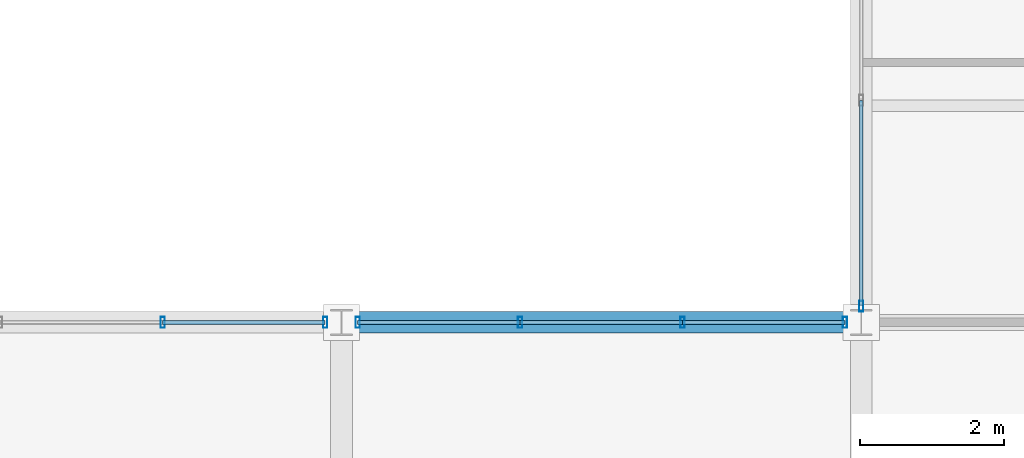
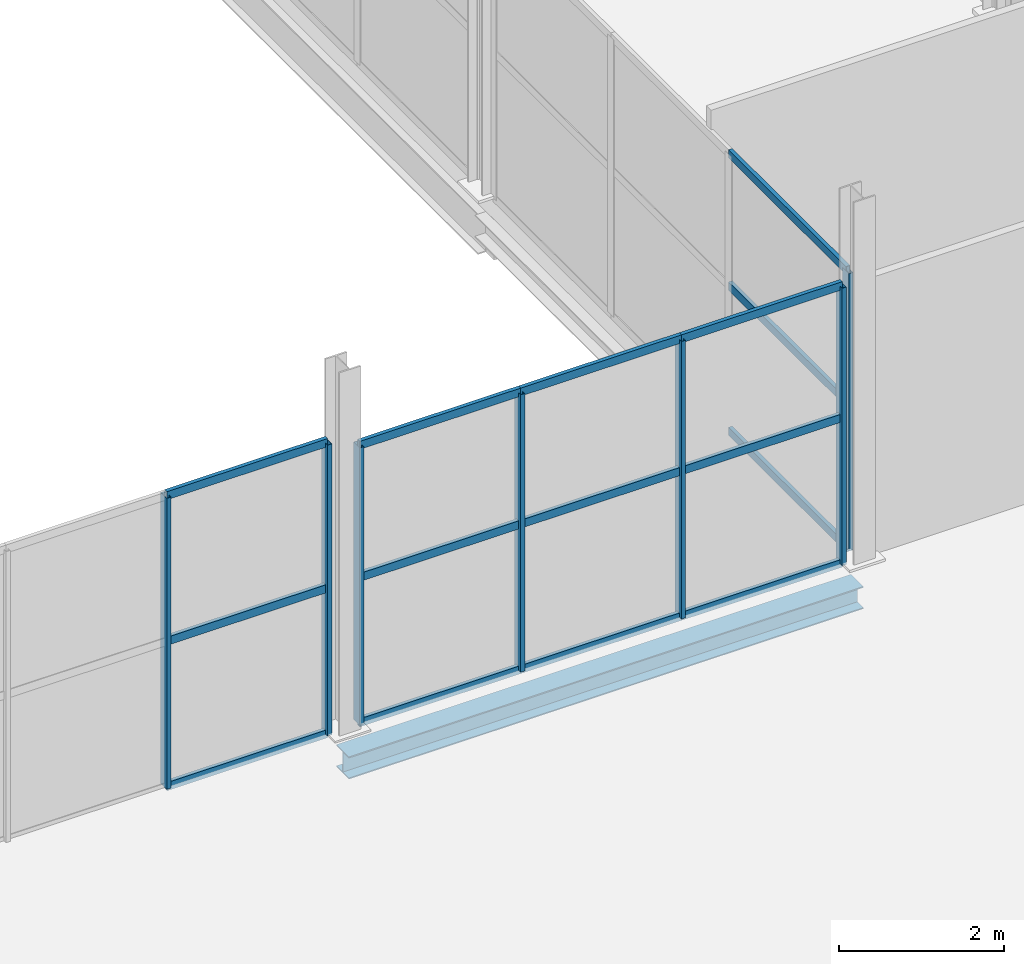
# One storey, part 74 of 141: 22 members, 1 beam, 3 elements without a shape of their own.
"""IFC4 building model written with IfcOpenShell, lengths in metres."""

from ifc_helpers import new_model, si_unit, direction, frame, origin, origin_2d, place, context, subcontext, project, spatial, hollow_rectangle, i_section, extrude, material, layer, layer_set, material_profile, profile_set, type_object, element, aggregate, save


model = new_model("IFC4")

# Units and contexts
model_context = context("Model", 3, precision=1e-05, world=origin(), true_north=direction((0.0, 1.0)))
body_context = subcontext(model_context, "Body", "Model", "MODEL_VIEW")
ifc_project = project(units=[si_unit("LENGTHUNIT", "METRE"), si_unit("AREAUNIT", "SQUARE_METRE"), si_unit("VOLUMEUNIT", "CUBIC_METRE"), si_unit("PLANEANGLEUNIT", "RADIAN"), si_unit("MASSUNIT", "GRAM", prefix="KILO")], contexts=[model_context])

# Site, building, storey
site_placement = place(None, origin())
site = spatial("IfcSite", under=ifc_project, at=site_placement, CompositionType="ELEMENT")
building_placement = place(site_placement, origin())
building = spatial("IfcBuilding", under=site, at=building_placement, Name="Sundgate Opera House", CompositionType="ELEMENT")
storey_placement = place(building_placement, frame((0.0, 0.0, 11.39990234375)))
storey = spatial("IfcBuildingStorey", under=building, at=storey_placement, Name="L02", CompositionType="ELEMENT", Elevation=11.39990234375)

# Beam
ifc_material_1 = material(Name="Steel S355J2", Category="steel")
ifc_material_profile_1 = material_profile(ifc_material_1, i_section(OverallWidth=0.300048828125, OverallDepth=0.330078125, WebThickness=0.009521484375, FlangeThickness=0.0166015625, at=origin_2d()), Name="HEA 340")
ifc_profile_set_1 = profile_set([ifc_material_profile_1], Name="Steel S355J2")
beam_type = type_object("IfcBeamType", Name="BM-GR-HEA340", PredefinedType="BEAM", material=ifc_profile_set_1)
beam_placement = place(storey_placement, frame((131.39990234375, 42.0, -0.514892578125), z_axis=(1.0, 0.0, 0.0), x_axis=(0.0, 1.0, 0.0)))
element("IfcBeam", 1, at=beam_placement, inside=storey, type_object=beam_type, Name="L02 Primary E-W Girder B2014", PredefinedType="BEAM", context=body_context, shape_type="SweptSolid", body=[
    extrude(i_section(OverallWidth=0.300048828125, OverallDepth=0.330078125, WebThickness=0.009521484375, FlangeThickness=0.0166015625, at=origin_2d()), origin(), (0.0, 0.0, 1.0), 7.2001953125),
])

# Curtain wall, members
ifc_material_2 = material(Name="Anodized aluminium and low-iron glass", Category="aluminium")
ifc_layer = layer(ifc_material_2, 0.159912109375)
ifc_layer_set = layer_set([ifc_layer], Name="Anodized aluminium and low-iron glass")
curtain_wall_type = type_object("IfcCurtainWallType", Name="CW-STUDIO-DARK", PredefinedType="NOTDEFINED", material=ifc_layer_set)
curtain_wall_1_placement = place(storey_placement, origin())
curtain_wall_1 = element("IfcCurtainWall", 2, at=curtain_wall_1_placement, inside=storey, type_object=curtain_wall_type, Name="L02 Curtain Wall CW072", PredefinedType="NOTDEFINED")
ifc_material_3 = material(Name="Anodized aluminium EN AW-6063", Category="aluminium")
ifc_material_profile_2 = material_profile(ifc_material_3, hollow_rectangle(XDim=0.06005859375, YDim=0.14990234375, WallThickness=0.00390625, at=origin_2d()), Name="CWM 150x60x4")
ifc_profile_set_2 = profile_set([ifc_material_profile_2], Name="Anodized aluminium EN AW-6063")
member_type_1 = type_object("IfcMemberType", Name="CWM-ALU-150x60", PredefinedType="MULLION", material=ifc_profile_set_2)
member_1_placement = place(storey_placement, frame((128.925048828125, 42.0, 0.0), z_axis=(0.0, 0.0, 1.0), x_axis=(1.0, 0.0, 0.0)))
member_1 = element("IfcMember", 3, at=member_1_placement, type_object=member_type_1, Name="CW072 Mullion 3", PredefinedType="MULLION", context=body_context, shape_type="SweptSolid", body=[
    extrude(hollow_rectangle(XDim=0.06005859375, YDim=0.14990234375, WallThickness=0.00390625, at=origin_2d()), origin(), (0.0, 0.0, 1.0), 4.30517578125),
])
member_2_placement = place(storey_placement, frame((131.175048828125, 42.0, 0.0), z_axis=(0.0, 0.0, 1.0), x_axis=(1.0, 0.0, 0.0)))
member_2 = element("IfcMember", 4, at=member_2_placement, type_object=member_type_1, Name="CW072 Mullion 4", PredefinedType="MULLION", context=body_context, shape_type="SweptSolid", body=[
    extrude(hollow_rectangle(XDim=0.06005859375, YDim=0.14990234375, WallThickness=0.00390625, at=origin_2d()), origin(), (0.0, 0.0, 1.0), 4.30517578125),
])

curtain_wall_2_placement = place(storey_placement, origin())
curtain_wall_2 = element("IfcCurtainWall", 5, at=curtain_wall_2_placement, inside=storey, type_object=curtain_wall_type, Name="L02 Curtain Wall CW074", PredefinedType="NOTDEFINED")
member_3_placement = place(storey_placement, frame((131.625, 42.0, 0.0), z_axis=(0.0, 0.0, 1.0), x_axis=(1.0, 0.0, 0.0)))
member_3 = element("IfcMember", 6, at=member_3_placement, type_object=member_type_1, Name="CW074 Mullion 1", PredefinedType="MULLION", context=body_context, shape_type="SweptSolid", body=[
    extrude(hollow_rectangle(XDim=0.06005859375, YDim=0.14990234375, WallThickness=0.00390625, at=origin_2d()), origin(), (0.0, 0.0, 1.0), 4.10498046875),
])
member_4_placement = place(storey_placement, frame((133.875, 42.0, 0.0), z_axis=(0.0, 0.0, 1.0), x_axis=(1.0, 0.0, 0.0)))
member_4 = element("IfcMember", 7, at=member_4_placement, type_object=member_type_1, Name="CW074 Mullion 2", PredefinedType="MULLION", context=body_context, shape_type="SweptSolid", body=[
    extrude(hollow_rectangle(XDim=0.06005859375, YDim=0.14990234375, WallThickness=0.00390625, at=origin_2d()), origin(), (0.0, 0.0, 1.0), 4.10498046875),
])
member_5_placement = place(storey_placement, frame((136.125, 42.0, 0.0), z_axis=(0.0, 0.0, 1.0), x_axis=(1.0, 0.0, 0.0)))
member_5 = element("IfcMember", 8, at=member_5_placement, type_object=member_type_1, Name="CW074 Mullion 3", PredefinedType="MULLION", context=body_context, shape_type="SweptSolid", body=[
    extrude(hollow_rectangle(XDim=0.06005859375, YDim=0.14990234375, WallThickness=0.00390625, at=origin_2d()), origin(), (0.0, 0.0, 1.0), 4.10498046875),
])
member_6_placement = place(storey_placement, frame((138.375, 42.0, 0.0), z_axis=(0.0, 0.0, 1.0), x_axis=(1.0, 0.0, 0.0)))
member_6 = element("IfcMember", 9, at=member_6_placement, type_object=member_type_1, Name="CW074 Mullion 4", PredefinedType="MULLION", context=body_context, shape_type="SweptSolid", body=[
    extrude(hollow_rectangle(XDim=0.06005859375, YDim=0.14990234375, WallThickness=0.00390625, at=origin_2d()), origin(), (0.0, 0.0, 1.0), 4.10498046875),
])

# Curtain wall, member
curtain_wall_3_placement = place(storey_placement, origin())
curtain_wall_3 = element("IfcCurtainWall", 10, at=curtain_wall_3_placement, inside=storey, type_object=curtain_wall_type, Name="L02 Curtain Wall CW077", PredefinedType="NOTDEFINED")
member_7_placement = place(storey_placement, frame((138.60009765625, 42.22509765625, 0.0), z_axis=(0.0, 0.0, 1.0), x_axis=(1.0, 0.0, 0.0)))
member_7 = element("IfcMember", 11, at=member_7_placement, type_object=member_type_1, Name="CW077 Mullion 4", PredefinedType="MULLION", context=body_context, shape_type="SweptSolid", body=[
    extrude(hollow_rectangle(XDim=0.06005859375, YDim=0.14990234375, WallThickness=0.00390625, at=origin_2d()), origin(), (0.0, 0.0, 1.0), 4.10498046875),
])

# Member
ifc_material_4 = material(Name="Anodized aluminium EN AW-6063", Category="aluminium")
ifc_material_profile_3 = material_profile(ifc_material_4, hollow_rectangle(XDim=0.054931640625, YDim=0.1201171875, WallThickness=0.00390625, at=origin_2d()), Name="CWT 120x55x4")
ifc_profile_set_3 = profile_set([ifc_material_profile_3], Name="Anodized aluminium EN AW-6063")
member_type_2 = type_object("IfcMemberType", Name="CWT-ALU-120x55", PredefinedType="USERDEFINED", material=ifc_profile_set_3)
member_8_placement = place(storey_placement, frame((128.925048828125, 42.0, 0.0), z_axis=(1.0, 0.0, 0.0), x_axis=(0.0, 1.0, 0.0)))
member_8 = element("IfcMember", 12, at=member_8_placement, type_object=member_type_2, Name="CW072 Transom 7", ObjectType="TRANSOM", PredefinedType="USERDEFINED", context=body_context, shape_type="SweptSolid", body=[
    extrude(hollow_rectangle(XDim=0.054931640625, YDim=0.1201171875, WallThickness=0.00390625, at=origin_2d()), origin(), (0.0, 0.0, 1.0), 2.25),
])

member_9_placement = place(storey_placement, frame((128.925048828125, 42.0, 2.150146484375), z_axis=(1.0, 0.0, 0.0), x_axis=(0.0, 1.0, 0.0)))
member_9 = element("IfcMember", 13, at=member_9_placement, type_object=member_type_2, Name="CW072 Transom 8", ObjectType="TRANSOM", PredefinedType="USERDEFINED", context=body_context, shape_type="SweptSolid", body=[
    extrude(hollow_rectangle(XDim=0.054931640625, YDim=0.1201171875, WallThickness=0.00390625, at=origin_2d()), origin(), (0.0, 0.0, 1.0), 2.25),
])

member_10_placement = place(storey_placement, frame((128.925048828125, 42.0, 4.30517578125), z_axis=(1.0, 0.0, 0.0), x_axis=(0.0, 1.0, 0.0)))
member_10 = element("IfcMember", 14, at=member_10_placement, type_object=member_type_2, Name="CW072 Transom 9", ObjectType="TRANSOM", PredefinedType="USERDEFINED", context=body_context, shape_type="SweptSolid", body=[
    extrude(hollow_rectangle(XDim=0.054931640625, YDim=0.1201171875, WallThickness=0.00390625, at=origin_2d()), origin(), (0.0, 0.0, 1.0), 2.25),
])

aggregate(curtain_wall_1, [member_1, member_2, member_8, member_9, member_10])

member_11_placement = place(storey_placement, frame((131.625, 42.0, 0.0), z_axis=(1.0, 0.0, 0.0), x_axis=(0.0, 1.0, 0.0)))
member_11 = element("IfcMember", 15, at=member_11_placement, type_object=member_type_2, Name="CW074 Transom 1", ObjectType="TRANSOM", PredefinedType="USERDEFINED", context=body_context, shape_type="SweptSolid", body=[
    extrude(hollow_rectangle(XDim=0.054931640625, YDim=0.1201171875, WallThickness=0.00390625, at=origin_2d()), origin(), (0.0, 0.0, 1.0), 2.25),
])

member_12_placement = place(storey_placement, frame((131.625, 42.0, 2.150146484375), z_axis=(1.0, 0.0, 0.0), x_axis=(0.0, 1.0, 0.0)))
member_12 = element("IfcMember", 16, at=member_12_placement, type_object=member_type_2, Name="CW074 Transom 2", ObjectType="TRANSOM", PredefinedType="USERDEFINED", context=body_context, shape_type="SweptSolid", body=[
    extrude(hollow_rectangle(XDim=0.054931640625, YDim=0.1201171875, WallThickness=0.00390625, at=origin_2d()), origin(), (0.0, 0.0, 1.0), 2.25),
])

member_13_placement = place(storey_placement, frame((131.625, 42.0, 4.10498046875), z_axis=(1.0, 0.0, 0.0), x_axis=(0.0, 1.0, 0.0)))
member_13 = element("IfcMember", 17, at=member_13_placement, type_object=member_type_2, Name="CW074 Transom 3", ObjectType="TRANSOM", PredefinedType="USERDEFINED", context=body_context, shape_type="SweptSolid", body=[
    extrude(hollow_rectangle(XDim=0.054931640625, YDim=0.1201171875, WallThickness=0.00390625, at=origin_2d()), origin(), (0.0, 0.0, 1.0), 2.25),
])

member_14_placement = place(storey_placement, frame((133.875, 42.0, 0.0), z_axis=(1.0, 0.0, 0.0), x_axis=(0.0, 1.0, 0.0)))
member_14 = element("IfcMember", 18, at=member_14_placement, type_object=member_type_2, Name="CW074 Transom 4", ObjectType="TRANSOM", PredefinedType="USERDEFINED", context=body_context, shape_type="SweptSolid", body=[
    extrude(hollow_rectangle(XDim=0.054931640625, YDim=0.1201171875, WallThickness=0.00390625, at=origin_2d()), origin(), (0.0, 0.0, 1.0), 2.25),
])

member_15_placement = place(storey_placement, frame((133.875, 42.0, 2.150146484375), z_axis=(1.0, 0.0, 0.0), x_axis=(0.0, 1.0, 0.0)))
member_15 = element("IfcMember", 19, at=member_15_placement, type_object=member_type_2, Name="CW074 Transom 5", ObjectType="TRANSOM", PredefinedType="USERDEFINED", context=body_context, shape_type="SweptSolid", body=[
    extrude(hollow_rectangle(XDim=0.054931640625, YDim=0.1201171875, WallThickness=0.00390625, at=origin_2d()), origin(), (0.0, 0.0, 1.0), 2.25),
])

member_16_placement = place(storey_placement, frame((133.875, 42.0, 4.10498046875), z_axis=(1.0, 0.0, 0.0), x_axis=(0.0, 1.0, 0.0)))
member_16 = element("IfcMember", 20, at=member_16_placement, type_object=member_type_2, Name="CW074 Transom 6", ObjectType="TRANSOM", PredefinedType="USERDEFINED", context=body_context, shape_type="SweptSolid", body=[
    extrude(hollow_rectangle(XDim=0.054931640625, YDim=0.1201171875, WallThickness=0.00390625, at=origin_2d()), origin(), (0.0, 0.0, 1.0), 2.25),
])

member_17_placement = place(storey_placement, frame((136.125, 42.0, 0.0), z_axis=(1.0, 0.0, 0.0), x_axis=(0.0, 1.0, 0.0)))
member_17 = element("IfcMember", 21, at=member_17_placement, type_object=member_type_2, Name="CW074 Transom 7", ObjectType="TRANSOM", PredefinedType="USERDEFINED", context=body_context, shape_type="SweptSolid", body=[
    extrude(hollow_rectangle(XDim=0.054931640625, YDim=0.1201171875, WallThickness=0.00390625, at=origin_2d()), origin(), (0.0, 0.0, 1.0), 2.25),
])

member_18_placement = place(storey_placement, frame((136.125, 42.0, 2.150146484375), z_axis=(1.0, 0.0, 0.0), x_axis=(0.0, 1.0, 0.0)))
member_18 = element("IfcMember", 22, at=member_18_placement, type_object=member_type_2, Name="CW074 Transom 8", ObjectType="TRANSOM", PredefinedType="USERDEFINED", context=body_context, shape_type="SweptSolid", body=[
    extrude(hollow_rectangle(XDim=0.054931640625, YDim=0.1201171875, WallThickness=0.00390625, at=origin_2d()), origin(), (0.0, 0.0, 1.0), 2.25),
])

member_19_placement = place(storey_placement, frame((136.125, 42.0, 4.10498046875), z_axis=(1.0, 0.0, 0.0), x_axis=(0.0, 1.0, 0.0)))
member_19 = element("IfcMember", 23, at=member_19_placement, type_object=member_type_2, Name="CW074 Transom 9", ObjectType="TRANSOM", PredefinedType="USERDEFINED", context=body_context, shape_type="SweptSolid", body=[
    extrude(hollow_rectangle(XDim=0.054931640625, YDim=0.1201171875, WallThickness=0.00390625, at=origin_2d()), origin(), (0.0, 0.0, 1.0), 2.25),
])

aggregate(curtain_wall_2, [member_3, member_4, member_5, member_6, member_11, member_12, member_13, member_14, member_15, member_16, member_17, member_18, member_19])

member_20_placement = place(storey_placement, frame((138.60009765625, 45.074951171875, 0.0), z_axis=(0.0, -1.0, 0.0), x_axis=(1.0, 0.0, 0.0)))
member_20 = element("IfcMember", 24, at=member_20_placement, type_object=member_type_2, Name="CW077 Transom 7", ObjectType="TRANSOM", PredefinedType="USERDEFINED", context=body_context, shape_type="SweptSolid", body=[
    extrude(hollow_rectangle(XDim=0.054931640625, YDim=0.1201171875, WallThickness=0.00390625, at=origin_2d()), origin(), (0.0, 0.0, 1.0), 2.849853515625),
])

member_21_placement = place(storey_placement, frame((138.60009765625, 45.074951171875, 2.150146484375), z_axis=(0.0, -1.0, 0.0), x_axis=(1.0, 0.0, 0.0)))
member_21 = element("IfcMember", 25, at=member_21_placement, type_object=member_type_2, Name="CW077 Transom 8", ObjectType="TRANSOM", PredefinedType="USERDEFINED", context=body_context, shape_type="SweptSolid", body=[
    extrude(hollow_rectangle(XDim=0.054931640625, YDim=0.1201171875, WallThickness=0.00390625, at=origin_2d()), origin(), (0.0, 0.0, 1.0), 2.849853515625),
])

member_22_placement = place(storey_placement, frame((138.60009765625, 45.074951171875, 4.10498046875), z_axis=(0.0, -1.0, 0.0), x_axis=(1.0, 0.0, 0.0)))
member_22 = element("IfcMember", 26, at=member_22_placement, type_object=member_type_2, Name="CW077 Transom 9", ObjectType="TRANSOM", PredefinedType="USERDEFINED", context=body_context, shape_type="SweptSolid", body=[
    extrude(hollow_rectangle(XDim=0.054931640625, YDim=0.1201171875, WallThickness=0.00390625, at=origin_2d()), origin(), (0.0, 0.0, 1.0), 2.849853515625),
])

aggregate(curtain_wall_3, [member_7, member_20, member_21, member_22])

save(model, "model.ifc")
